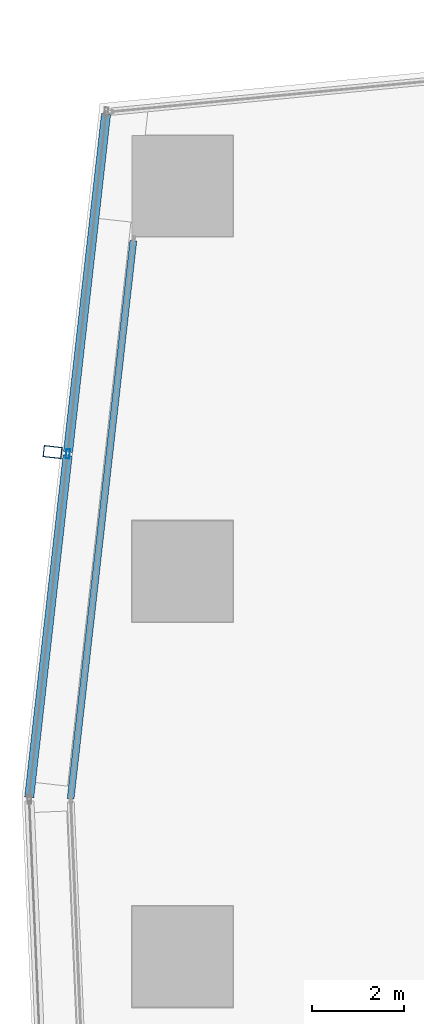
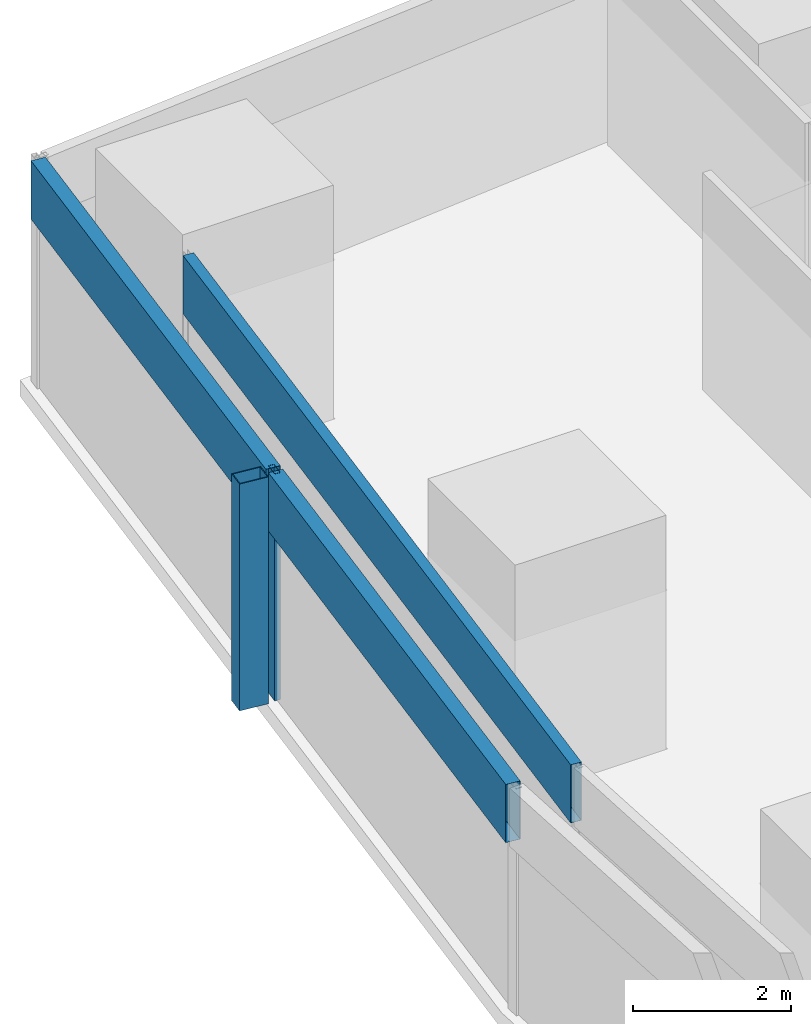
# One storey, part 15 of 44: 5 members, 2 elements without a shape of their own.
"""IFC4 building model written with IfcOpenShell, lengths in metres."""

from ifc_helpers import new_model, si_unit, direction, frame, origin, origin_2d, place, context, subcontext, project, spatial, hollow_rectangle, extrude, material, material_profile, profile_set, type_object, element, aggregate, save


model = new_model("IFC4")

# Units and contexts
model_context = context("Model", 3, precision=1e-05, world=origin(), true_north=direction((0.0, 1.0)))
body_context = subcontext(model_context, "Body", "Model", "MODEL_VIEW")
ifc_project = project(units=[si_unit("LENGTHUNIT", "METRE"), si_unit("AREAUNIT", "SQUARE_METRE"), si_unit("VOLUMEUNIT", "CUBIC_METRE"), si_unit("PLANEANGLEUNIT", "RADIAN"), si_unit("MASSUNIT", "GRAM", prefix="KILO")], contexts=[model_context])

# Site, building, storey
site_placement = place(None, origin())
site = spatial("IfcSite", under=ifc_project, at=site_placement, CompositionType="ELEMENT")
building_placement = place(site_placement, origin())
building = spatial("IfcBuilding", under=site, at=building_placement, Name="Rekha Terrace Tower", CompositionType="ELEMENT")
storey_placement = place(building_placement, frame((0.0, 0.0, 59.14990234375)))
storey = spatial("IfcBuildingStorey", under=building, at=storey_placement, Name="L14", CompositionType="ELEMENT", Elevation=59.14990234375)

# Curtain wall, member
ifc_material_1 = material(Name="Aluminium framing", Category="aluminium")
curtain_wall_type_1 = type_object("IfcCurtainWallType", Name="CW2 double skin outer glazing", PredefinedType="USERDEFINED", material=ifc_material_1)
curtain_wall_1_placement = place(storey_placement, origin())
curtain_wall_1 = element("IfcCurtainWall", 1, at=curtain_wall_1_placement, inside=storey, type_object=curtain_wall_type_1, Name="CW2 double skin outer glazing", ObjectType="DOUBLE SKIN OUTER GLAZING", PredefinedType="USERDEFINED")
ifc_material_2 = material(Name="Steel S355 with fluorocarbon finish", Category="steel")
ifc_material_profile_1 = material_profile(ifc_material_2, hollow_rectangle(XDim=0.25, YDim=0.39990234375, WallThickness=0.012451171875, at=origin_2d()), Name="RHS400x250x12.5")
ifc_profile_set_1 = profile_set([ifc_material_profile_1], Name="Steel S355 with fluorocarbon finish")
member_type_1 = type_object("IfcMemberType", Name="BL1 facade blade RHS 400 x 250", PredefinedType="USERDEFINED", material=ifc_profile_set_1)
member_1_placement = place(storey_placement, frame((5.569580078125, 53.001220703125, 0.0), z_axis=(0.0, 0.0, 1.0), x_axis=(-0.111729096216, -0.993738702607, 0.0)))
member_1 = element("IfcMember", 2, at=member_1_placement, type_object=member_type_1, Name="Facade blade", ObjectType="FACADE BLADE", PredefinedType="USERDEFINED", context=body_context, shape_type="SweptSolid", body=[
    extrude(hollow_rectangle(XDim=0.25, YDim=0.39990234375, WallThickness=0.012451171875, at=origin_2d()), origin(), (0.0, 0.0, 1.0), 3.5),
])

curtain_wall_type_2 = type_object("IfcCurtainWallType", Name="CW1 double skin inner glazing", PredefinedType="USERDEFINED", material=ifc_material_1)
curtain_wall_2_placement = place(storey_placement, origin())
curtain_wall_2 = element("IfcCurtainWall", 3, at=curtain_wall_2_placement, inside=storey, type_object=curtain_wall_type_2, Name="CW1 double skin inner glazing", ObjectType="DOUBLE SKIN INNER GLAZING", PredefinedType="USERDEFINED")
ifc_material_3 = material(Name="Insulated aluminium spandrel box", Category="aluminium")
ifc_material_profile_2 = material_profile(ifc_material_3, hollow_rectangle(XDim=0.14990234375, YDim=0.89990234375, WallThickness=0.0029296875, at=origin_2d()), Name="AL SPANDREL BOX 150x900")
ifc_profile_set_2 = profile_set([ifc_material_profile_2], Name="Insulated aluminium spandrel box")
member_type_2 = type_object("IfcMemberType", Name="CW1 spandrel transom 150 x 900", PredefinedType="USERDEFINED", material=ifc_profile_set_2)
member_2_placement = place(storey_placement, frame((7.33056640625, 57.611083984375, 3.050048828125), z_axis=(-0.111720442276, -0.993739675558, 0.0), x_axis=(0.993739675558, -0.111720442276, 0.0)))
member_2 = element("IfcMember", 4, at=member_2_placement, type_object=member_type_2, Name="CW1 spandrel transom 1", ObjectType="TRANSOM", PredefinedType="USERDEFINED", context=body_context, shape_type="SweptSolid", body=[
    extrude(hollow_rectangle(XDim=0.14990234375, YDim=0.89990234375, WallThickness=0.0029296875, at=origin_2d()), origin(), (0.0, 0.0, 1.0), 12.244140625),
])
aggregate(curtain_wall_2, [member_2])

# Member
ifc_material_4 = material(Name="Aluminium mullion section", Category="aluminium")
ifc_material_profile_3 = material_profile(ifc_material_4, hollow_rectangle(XDim=0.080078125, YDim=0.199951171875, WallThickness=0.00390625, at=origin_2d()), Name="AL RHS 80x200")
ifc_profile_set_3 = profile_set([ifc_material_profile_3], Name="Aluminium mullion section")
member_type_3 = type_object("IfcMemberType", Name="CW2 mullion RHS 80 x 200", PredefinedType="MULLION", material=ifc_profile_set_3)
member_3_placement = place(storey_placement, frame((5.90234375, 52.9638671875, 0.0), z_axis=(0.0, 0.0, 1.0), x_axis=(0.99373861552, -0.111729870782, 0.0)))
member_3 = element("IfcMember", 5, at=member_3_placement, type_object=member_type_3, Name="CW2 mullion 2", PredefinedType="MULLION", context=body_context, shape_type="SweptSolid", body=[
    extrude(hollow_rectangle(XDim=0.080078125, YDim=0.199951171875, WallThickness=0.00390625, at=origin_2d()), origin(), (0.0, 0.0, 1.0), 3.5),
])

ifc_material_profile_4 = material_profile(ifc_material_3, hollow_rectangle(XDim=0.199951171875, YDim=0.89990234375, WallThickness=0.0029296875, at=origin_2d()), Name="AL SPANDREL BOX 200x900")
ifc_profile_set_4 = profile_set([ifc_material_profile_4], Name="Insulated aluminium spandrel box")
member_type_4 = type_object("IfcMemberType", Name="CW2 spandrel transom 200 x 900", PredefinedType="USERDEFINED", material=ifc_profile_set_4)
member_4_placement = place(storey_placement, frame((6.735595703125, 60.37353515625, 3.050048828125), z_axis=(-0.111728537773, -0.993738765394, 0.0), x_axis=(0.993738765394, -0.111728537773, 0.0)))
member_4 = element("IfcMember", 6, at=member_4_placement, type_object=member_type_4, Name="CW2 spandrel transom 1", ObjectType="TRANSOM", PredefinedType="USERDEFINED", context=body_context, shape_type="SweptSolid", body=[
    extrude(hollow_rectangle(XDim=0.199951171875, YDim=0.89990234375, WallThickness=0.0029296875, at=origin_2d()), origin(), (0.0, 0.0, 1.0), 7.416259765625),
])

member_5_placement = place(storey_placement, frame((5.89794921875, 52.924072265625, 3.050048828125), z_axis=(-0.111739697795, -0.993737510582, 0.0), x_axis=(0.993737510582, -0.111739697795, 0.0)))
member_5 = element("IfcMember", 7, at=member_5_placement, type_object=member_type_4, Name="CW2 spandrel transom 2", ObjectType="TRANSOM", PredefinedType="USERDEFINED", context=body_context, shape_type="SweptSolid", body=[
    extrude(hollow_rectangle(XDim=0.199951171875, YDim=0.89990234375, WallThickness=0.0029296875, at=origin_2d()), origin(), (0.0, 0.0, 1.0), 7.496337890625),
])

aggregate(curtain_wall_1, [member_3, member_4, member_5, member_1])

save(model, "model.ifc")
